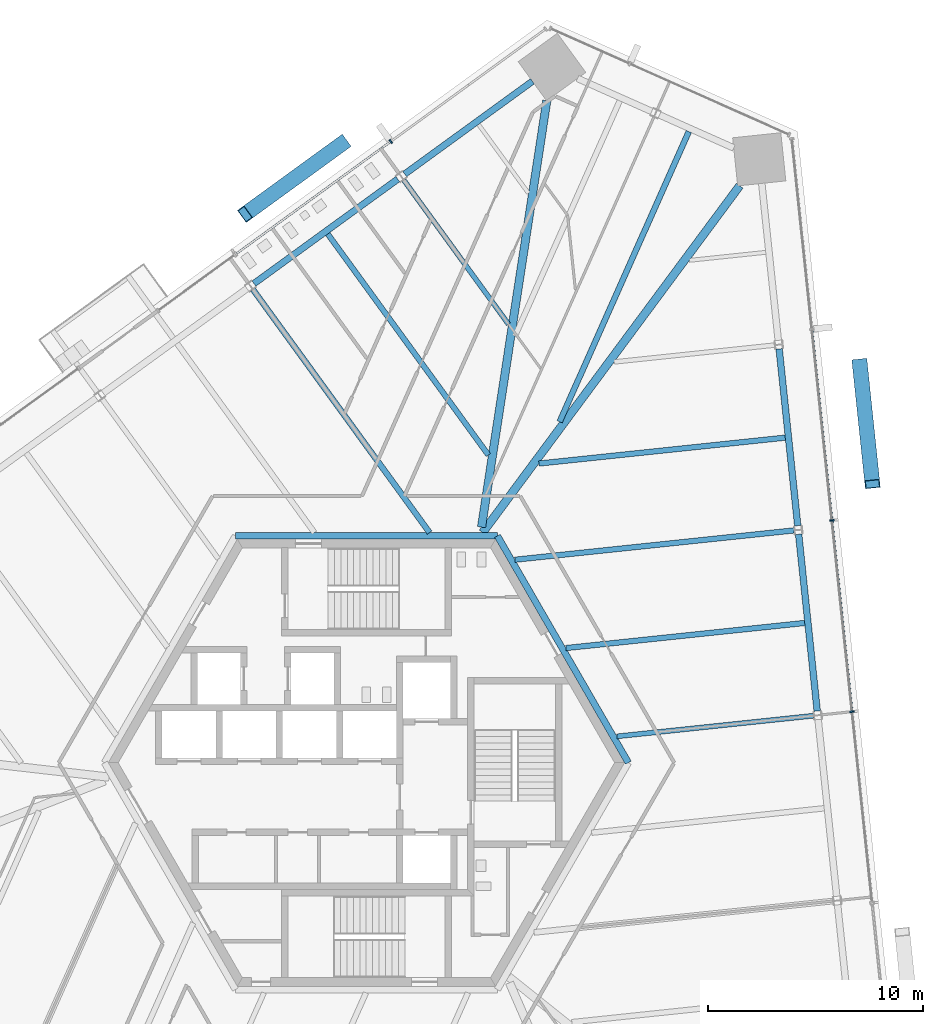
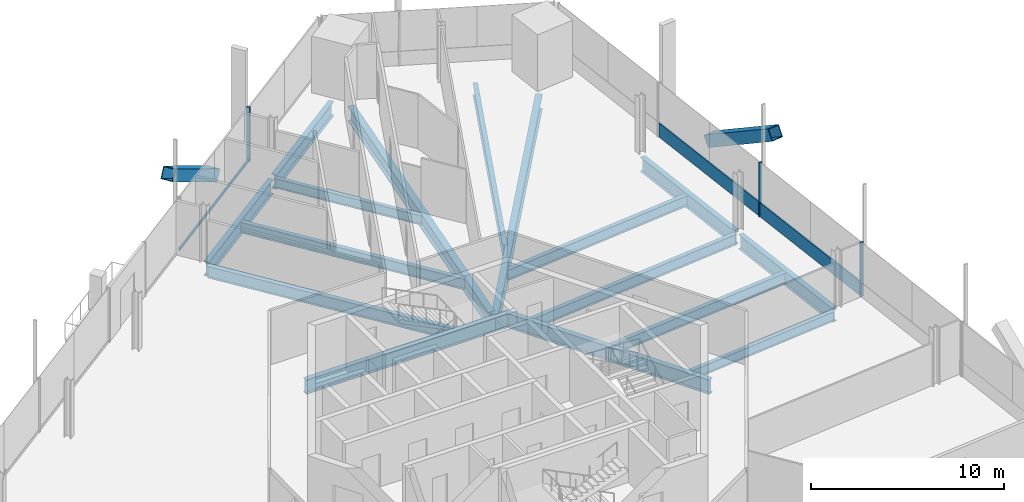
# One storey, part 8 of 21: 16 beams, 8 members, 2 elements without a shape of their own.
"""IFC4 building model written with IfcOpenShell, lengths in metres."""

from ifc_helpers import new_model, si_unit, direction, frame, origin, origin_2d, place, context, subcontext, project, spatial, rectangle, hollow_rectangle, i_section, extrude, source, transform, mapped, material, material_profile, profile_set, type_object, element, aggregate, save


model = new_model("IFC4")

# Units and contexts
model_context = context("Model", 3, precision=1e-05, world=origin(), true_north=direction((0.0, 1.0)))
body_context = subcontext(model_context, "Body", "Model", "MODEL_VIEW")
ifc_project = project(units=[si_unit("LENGTHUNIT", "METRE"), si_unit("AREAUNIT", "SQUARE_METRE"), si_unit("VOLUMEUNIT", "CUBIC_METRE"), si_unit("PLANEANGLEUNIT", "RADIAN"), si_unit("MASSUNIT", "GRAM", prefix="KILO")], contexts=[model_context])

# Site, building, storey
site_placement = place(None, origin())
site = spatial("IfcSite", under=ifc_project, at=site_placement, CompositionType="ELEMENT")
building_placement = place(site_placement, origin())
building = spatial("IfcBuilding", under=site, at=building_placement, Name="Triune Harvest Tower", CompositionType="ELEMENT")
storey_placement = place(building_placement, frame((0.0, 0.0, 65.699951171875)))
storey = spatial("IfcBuildingStorey", under=building, at=storey_placement, Name="L15", CompositionType="ELEMENT", Elevation=65.699951171875)

# Beams
ifc_material_1 = material(Name="Steel ASTM A992 Gr 50", Category="steel")
ifc_material_profile_1 = material_profile(ifc_material_1, i_section(OverallWidth=0.3046875, OverallDepth=0.914306640625, WebThickness=0.0166015625, FlangeThickness=0.02587890625, at=origin_2d()), Name="W36x160")
ifc_profile_set_1 = profile_set([ifc_material_profile_1], Name="Steel ASTM A992 Gr 50")
beam_type_1 = type_object("IfcBeamType", Name="CG-1 Core ring girder W36x160", PredefinedType="BEAM", material=ifc_profile_set_1)
shared_shape_1 = source(origin(), body_context, "Body", "SweptSolid", [
    extrude(i_section(OverallWidth=0.3046875, OverallDepth=0.914306640625, WebThickness=0.0166015625, FlangeThickness=0.02587890625, at=origin_2d()), origin(), (0.0, 0.0, 1.0), 12.176025390625),
])
beam_1_placement = place(storey_placement, frame((12.176025390625, 0.0, -0.6171875), z_axis=(-0.5000099932, 0.866019634131, 0.0), x_axis=(-0.866019634131, -0.5000099932, 0.0)))
element("IfcBeam", 1, at=beam_1_placement, inside=storey, type_object=beam_type_1, Name="beam/L15/CG1", PredefinedType="BEAM", context=body_context, shape_type="MappedRepresentation", body=[
    mapped(shared_shape_1, transform((0.0, 0.0, 0.0), scale=1.0)),
])
shared_shape_2 = source(origin(), body_context, "Body", "SweptSolid", [
    extrude(i_section(OverallWidth=0.3046875, OverallDepth=0.914306640625, WebThickness=0.0166015625, FlangeThickness=0.02587890625, at=origin_2d()), origin(), (0.0, 0.0, 1.0), 12.17578125),
])
beam_2_placement = place(storey_placement, frame((6.087890625, 10.544677734375, -0.6171875), z_axis=(-1.0, 0.0, 0.0), x_axis=(0.0, -1.0, 0.0)))
element("IfcBeam", 2, at=beam_2_placement, inside=storey, type_object=beam_type_1, Name="beam/L15/CG2", PredefinedType="BEAM", context=body_context, shape_type="MappedRepresentation", body=[
    mapped(shared_shape_2, transform((0.0, 0.0, 0.0), scale=1.0)),
])
ifc_material_2 = material(Name="Steel ASTM A992 Gr 50", Category="steel")
ifc_material_profile_2 = material_profile(ifc_material_2, i_section(OverallWidth=0.3046875, OverallDepth=0.914306640625, WebThickness=0.0166015625, FlangeThickness=0.02587890625, at=origin_2d()), Name="W36x160")
ifc_profile_set_2 = profile_set([ifc_material_profile_2], Name="Steel ASTM A992 Gr 50")
beam_type_2 = type_object("IfcBeamType", Name="SB-1 Spandrel beam W36x160", PredefinedType="SPANDREL", material=ifc_profile_set_2)
shared_shape_3 = source(origin(), body_context, "Body", "SweptSolid", [
    extrude(i_section(OverallWidth=0.3046875, OverallDepth=0.914306640625, WebThickness=0.0166015625, FlangeThickness=0.02587890625, at=origin_2d()), origin(), (0.0, 0.0, 1.0), 7.337890625),
])
beam_3_placement = place(storey_placement, frame((7.7158203125, 31.677490234375, -0.6171875), z_axis=(-0.80902661548, -0.58777200975, 0.0), x_axis=(0.58777200975, -0.80902661548, 0.0)))
element("IfcBeam", 3, at=beam_3_placement, inside=storey, type_object=beam_type_2, Name="beam/L15/SB9", PredefinedType="SPANDREL", context=body_context, shape_type="MappedRepresentation", body=[
    mapped(shared_shape_3, transform((0.0, 0.0, 0.0), scale=1.0)),
])
shared_shape_4 = source(origin(), body_context, "Body", "SweptSolid", [
    extrude(i_section(OverallWidth=0.3046875, OverallDepth=0.914306640625, WebThickness=0.0166015625, FlangeThickness=0.02587890625, at=origin_2d()), origin(), (0.0, 0.0, 1.0), 8.263427734375),
])
for number, where, z_axis, x_axis, name in (
    (4, (20.956298828125, 2.403076171875, -0.6171875), (-0.104560208485, 0.994518558299, 0.0), (-0.994518558299, -0.104560208485, 0.0), "beam/L15/SB4"),
    (5, (20.05078125, 11.017822265625, -0.6171875), (-0.104527914852, 0.994521953009, 0.0), (-0.994521953009, -0.104527914852, 0.0), "beam/L15/SB5"),
    (6, (1.45654296875, 27.130126953125, -0.6171875), (-0.809015786763, -0.587786914424, 0.0), (0.587786914424, -0.809015786763, 0.0), "beam/L15/SB10"),
):
    element("IfcBeam", number, at=place(storey_placement, frame(where, z_axis=z_axis, x_axis=x_axis)), inside=storey, type_object=beam_type_2, Name=name, PredefinedType="SPANDREL", context=body_context, shape_type="MappedRepresentation", body=[
        mapped(shared_shape_4, transform((0.0, 0.0, 0.0), scale=1.0)),
    ])
ifc_material_3 = material(Name="Steel ASTM A992 Gr 50", Category="steel")
ifc_material_profile_3 = material_profile(ifc_material_3, i_section(OverallWidth=0.383544921875, OverallDepth=0.9423828125, WebThickness=0.022216796875, FlangeThickness=0.039794921875, at=origin_2d()), Name="W36x232")
ifc_profile_set_3 = profile_set([ifc_material_profile_3], Name="Steel ASTM A992 Gr 50")
beam_type_3 = type_object("IfcBeamType", Name="HG-1 Hip girder W36x232", PredefinedType="BEAM", material=ifc_profile_set_3)
shared_shape_5 = source(origin(), body_context, "Body", "SweptSolid", [
    extrude(i_section(OverallWidth=0.383544921875, OverallDepth=0.9423828125, WebThickness=0.022216796875, FlangeThickness=0.039794921875, at=origin_2d()), origin(), (0.0, 0.0, 1.0), 20.071044921875),
])
beam_4_placement = place(storey_placement, frame((17.3515625, 26.822265625, -0.631103515625), z_axis=(-0.595422435489, -0.803412797581, 0.0), x_axis=(0.803412797581, -0.595422435489, 0.0)))
element("IfcBeam", 7, at=beam_4_placement, inside=storey, type_object=beam_type_3, Name="beam/L15/HG3", PredefinedType="BEAM", context=body_context, shape_type="MappedRepresentation", body=[
    mapped(shared_shape_5, transform((0.0, 0.0, 0.0), scale=1.0)),
])
shared_shape_6 = source(origin(), body_context, "Body", "SweptSolid", [
    extrude(i_section(OverallWidth=0.383544921875, OverallDepth=0.9423828125, WebThickness=0.022216796875, FlangeThickness=0.039794921875, at=origin_2d()), origin(), (0.0, 0.0, 1.0), 20.0546875),
])
beam_5_placement = place(storey_placement, frame((8.38623046875, 30.774169921875, -0.631103515625), z_axis=(-0.151393010927, -0.988473649746, 0.0), x_axis=(0.988473649746, -0.151393010927, 0.0)))
element("IfcBeam", 8, at=beam_5_placement, inside=storey, type_object=beam_type_3, Name="beam/L15/HG4", PredefinedType="BEAM", context=body_context, shape_type="MappedRepresentation", body=[
    mapped(shared_shape_6, transform((0.0, 0.0, 0.0), scale=1.0)),
])
ifc_material_4 = material(Name="Steel ASTM A992 Gr 50", Category="steel")
ifc_material_profile_4 = material_profile(ifc_material_4, i_section(OverallWidth=0.22900390625, OverallDepth=0.612060546875, WebThickness=0.011962890625, FlangeThickness=0.01953125, at=origin_2d()), Name="W24x84")
ifc_profile_set_4 = profile_set([ifc_material_profile_4], Name="Steel ASTM A992 Gr 50")
beam_type_4 = type_object("IfcBeamType", Name="JT-3 Floor joist W24x84", PredefinedType="JOIST", material=ifc_profile_set_4)
shared_shape_7 = source(origin(), body_context, "Body", "SweptSolid", [
    extrude(i_section(OverallWidth=0.22900390625, OverallDepth=0.612060546875, WebThickness=0.011962890625, FlangeThickness=0.01953125, at=origin_2d()), origin(), (0.0, 0.0, 1.0), 8.28173828125),
])
beam_6_placement = place(storey_placement, frame((1.733642578125, 27.087890625, -0.466064453125), z_axis=(0.587794772324, -0.809010077581, 0.0), x_axis=(0.809010077581, 0.587794772324, 0.0)))
element("IfcBeam", 9, at=beam_6_placement, inside=storey, type_object=beam_type_4, Name="beam/L15/JT15", PredefinedType="JOIST", context=body_context, shape_type="MappedRepresentation", body=[
    mapped(shared_shape_7, transform((0.0, 0.0, 0.0), scale=1.0)),
])
shared_shape_8 = source(origin(), body_context, "Body", "SweptSolid", [
    extrude(i_section(OverallWidth=0.22900390625, OverallDepth=0.612060546875, WebThickness=0.011962890625, FlangeThickness=0.01953125, at=origin_2d()), origin(), (0.0, 0.0, 1.0), 9.186279296875),
])
beam_7_placement = place(storey_placement, frame((20.78125, 2.18408203125, -0.466064453125), z_axis=(-0.99452494946, -0.10449940144, 0.0), x_axis=(0.10449940144, -0.99452494946, 0.0)))
element("IfcBeam", 10, at=beam_7_placement, inside=storey, type_object=beam_type_4, Name="beam/L15/JT6", PredefinedType="JOIST", context=body_context, shape_type="MappedRepresentation", body=[
    mapped(shared_shape_8, transform((0.0, 0.0, 0.0), scale=1.0)),
])
ifc_material_5 = material(Name="Steel ASTM A992 Gr 50", Category="steel")
ifc_material_profile_5 = material_profile(ifc_material_5, i_section(OverallWidth=0.253662109375, OverallDepth=0.683349609375, WebThickness=0.012451171875, FlangeThickness=0.01904296875, at=origin_2d()), Name="W27x94")
ifc_profile_set_5 = profile_set([ifc_material_profile_5], Name="Steel ASTM A992 Gr 50")
beam_type_5 = type_object("IfcBeamType", Name="JT-4 Floor joist W27x94", PredefinedType="JOIST", material=ifc_profile_set_5)
shared_shape_9 = source(origin(), body_context, "Body", "SweptSolid", [
    extrude(i_section(OverallWidth=0.253662109375, OverallDepth=0.683349609375, WebThickness=0.012451171875, FlangeThickness=0.01904296875, at=origin_2d()), origin(), (0.0, 0.0, 1.0), 11.158935546875),
])
beam_8_placement = place(storey_placement, frame((20.372802734375, 6.49609375, -0.50146484375), z_axis=(-0.994523540129, -0.104512813234, 0.0), x_axis=(0.104512813234, -0.994523540129, 0.0)))
element("IfcBeam", 11, at=beam_8_placement, inside=storey, type_object=beam_type_5, Name="beam/L15/JT7", PredefinedType="JOIST", context=body_context, shape_type="MappedRepresentation", body=[
    mapped(shared_shape_9, transform((0.0, 0.0, 0.0), scale=1.0)),
])
shared_shape_10 = source(origin(), body_context, "Body", "SweptSolid", [
    extrude(i_section(OverallWidth=0.253662109375, OverallDepth=0.683349609375, WebThickness=0.012451171875, FlangeThickness=0.01904296875, at=origin_2d()), origin(), (0.0, 0.0, 1.0), 13.04296875),
])
beam_9_placement = place(storey_placement, frame((19.875732421875, 10.799072265625, -0.50146484375), z_axis=(-0.99452051979, -0.104541550188, 0.0), x_axis=(0.104541550188, -0.99452051979, 0.0)))
element("IfcBeam", 12, at=beam_9_placement, inside=storey, type_object=beam_type_5, Name="beam/L15/JT8", PredefinedType="JOIST", context=body_context, shape_type="MappedRepresentation", body=[
    mapped(shared_shape_10, transform((0.0, 0.0, 0.0), scale=1.0)),
])
shared_shape_11 = source(origin(), body_context, "Body", "SweptSolid", [
    extrude(i_section(OverallWidth=0.253662109375, OverallDepth=0.683349609375, WebThickness=0.012451171875, FlangeThickness=0.01904296875, at=origin_2d()), origin(), (0.0, 0.0, 1.0), 11.51123046875),
])
beam_10_placement = place(storey_placement, frame((19.46728515625, 15.111083984375, -0.50146484375), z_axis=(-0.994520898324, -0.104537949071, 0.0), x_axis=(0.104537949071, -0.994520898324, 0.0)))
element("IfcBeam", 13, at=beam_10_placement, inside=storey, type_object=beam_type_5, Name="beam/L15/JT9", PredefinedType="JOIST", context=body_context, shape_type="MappedRepresentation", body=[
    mapped(shared_shape_11, transform((0.0, 0.0, 0.0), scale=1.0)),
])
ifc_material_6 = material(Name="Steel ASTM A992 Gr 50", Category="steel")
ifc_material_profile_6 = material_profile(ifc_material_6, i_section(OverallWidth=0.2666015625, OverallDepth=0.7568359375, WebThickness=0.013916015625, FlangeThickness=0.019287109375, at=origin_2d()), Name="W30x108")
ifc_profile_set_6 = profile_set([ifc_material_profile_6], Name="Steel ASTM A992 Gr 50")
beam_type_6 = type_object("IfcBeamType", Name="JT-5 Floor joist W30x108", PredefinedType="JOIST", material=ifc_profile_set_6)
shared_shape_12 = source(origin(), body_context, "Body", "SweptSolid", [
    extrude(i_section(OverallWidth=0.2666015625, OverallDepth=0.7568359375, WebThickness=0.013916015625, FlangeThickness=0.019287109375, at=origin_2d()), origin(), (0.0, 0.0, 1.0), 14.766357421875),
])
beam_11_placement = place(storey_placement, frame((14.987060546875, 29.33984375, -0.538330078125), z_axis=(-0.406727456384, -0.913549547766, 0.0), x_axis=(0.913549547766, -0.406727456384, 0.0)))
element("IfcBeam", 14, at=beam_11_placement, inside=storey, type_object=beam_type_6, Name="beam/L15/JT12", PredefinedType="JOIST", context=body_context, shape_type="MappedRepresentation", body=[
    mapped(shared_shape_12, transform((0.0, 0.0, 0.0), scale=1.0)),
])
shared_shape_13 = source(origin(), body_context, "Body", "SweptSolid", [
    extrude(i_section(OverallWidth=0.253662109375, OverallDepth=0.683349609375, WebThickness=0.012451171875, FlangeThickness=0.01904296875, at=origin_2d()), origin(), (0.0, 0.0, 1.0), 12.701904296875),
])
beam_12_placement = place(storey_placement, frame((-1.79638671875, 24.578369140625, -0.50146484375), z_axis=(0.587773910587, -0.809025234485, 0.0), x_axis=(0.809025234485, 0.587773910587, 0.0)))
element("IfcBeam", 15, at=beam_12_placement, inside=storey, type_object=beam_type_5, Name="beam/L15/JT16", PredefinedType="JOIST", context=body_context, shape_type="MappedRepresentation", body=[
    mapped(shared_shape_13, transform((0.0, 0.0, 0.0), scale=1.0)),
])
shared_shape_14 = source(origin(), body_context, "Body", "SweptSolid", [
    extrude(i_section(OverallWidth=0.2666015625, OverallDepth=0.7568359375, WebThickness=0.013916015625, FlangeThickness=0.019287109375, at=origin_2d()), origin(), (0.0, 0.0, 1.0), 13.967041015625),
])
beam_13_placement = place(storey_placement, frame((-5.2744140625, 21.99658203125, -0.538330078125), z_axis=(0.587790196646, -0.809013402069, 0.0), x_axis=(0.809013402069, 0.587790196646, 0.0)))
element("IfcBeam", 16, at=beam_13_placement, inside=storey, type_object=beam_type_6, Name="beam/L15/JT17", PredefinedType="JOIST", context=body_context, shape_type="MappedRepresentation", body=[
    mapped(shared_shape_14, transform((0.0, 0.0, 0.0), scale=1.0)),
])

# Members
ifc_material_7 = material(Name="Steel ASTM A572 Gr 50", Category="steel")
ifc_material_profile_7 = material_profile(ifc_material_7, hollow_rectangle(XDim=0.699951171875, YDim=0.699951171875, WallThickness=0.0400390625, at=origin_2d()), Name="Box 700x700x40")
ifc_profile_set_7 = profile_set([ifc_material_profile_7], Name="Steel ASTM A572 Gr 50")
member_type_1 = type_object("IfcMemberType", Name="BR-1 Brace Box 700x700x40", PredefinedType="BRACE", material=ifc_profile_set_7)
shared_shape_15 = source(origin(), body_context, "Body", "SweptSolid", [
    extrude(hollow_rectangle(XDim=0.699951171875, YDim=0.699951171875, WallThickness=0.0400390625, at=origin_2d()), origin(), (0.0, 0.0, 1.0), 6.7021484375),
])
member_1_placement = place(storey_placement, frame((-1.069091796875, 28.824462890625, 0.0), z_axis=(-0.682383466638, -0.495805336274, 0.537149767739), x_axis=(0.587804439459, -0.809003053735, 0.0)))
element("IfcMember", 17, at=member_1_placement, inside=storey, type_object=member_type_1, Name="brace/B2-F3/d1/3", PredefinedType="BRACE", context=body_context, shape_type="MappedRepresentation", body=[
    mapped(shared_shape_15, transform((0.0, 0.0, 0.0), scale=1.0)),
])
shared_shape_16 = source(origin(), body_context, "Body", "SweptSolid", [
    extrude(hollow_rectangle(XDim=0.699951171875, YDim=0.699951171875, WallThickness=0.0400390625, at=origin_2d()), origin(), (0.0, 0.0, 1.0), 6.702392578125),
])
member_2_placement = place(storey_placement, frame((22.931640625, 18.576416015625, 0.0), z_axis=(0.088188640305, -0.83886666567, 0.537145679447), x_axis=(0.994519405424, 0.10455215079, 0.0)))
element("IfcMember", 18, at=member_2_placement, inside=storey, type_object=member_type_1, Name="brace/B2-F1/d2/3", PredefinedType="BRACE", context=body_context, shape_type="MappedRepresentation", body=[
    mapped(shared_shape_16, transform((0.0, 0.0, 0.0), scale=1.0)),
])

# Curtain wall, members
ifc_material_8 = material(Name="Aluminium bronze anodised", Category="aluminium")
curtain_wall_type_1 = type_object("IfcCurtainWallType", Name="CW-1 Tower stick curtain wall", PredefinedType="NOTDEFINED", material=ifc_material_8)
curtain_wall_1_placement = place(storey_placement, origin())
curtain_wall_1 = element("IfcCurtainWall", 19, at=curtain_wall_1_placement, inside=storey, type_object=curtain_wall_type_1, Name="CW-1 B2-F1 L15 run 1001")
ifc_material_9 = material(Name="Aluminium bronze anodised", Category="aluminium")
ifc_material_profile_8 = material_profile(ifc_material_9, rectangle(XDim=0.199951171875, YDim=0.074951171875, at=origin_2d()), Name="MU-1 mullion 75 x 200")
ifc_profile_set_8 = profile_set([ifc_material_profile_8], Name="Aluminium bronze anodised")
member_type_2 = type_object("IfcMemberType", Name="MU-1 mullion 75 x 200", PredefinedType="MULLION", material=ifc_profile_set_8)
shared_shape_17 = source(origin(), body_context, "Body", "SweptSolid", [
    extrude(rectangle(XDim=0.199951171875, YDim=0.074951171875, at=origin_2d()), origin(), (0.0, 0.0, 1.0), 3.43994140625),
])
member_3_placement = place(storey_placement, frame((22.573486328125, 2.37255859375, 0.0), z_axis=(0.0, 0.0, 1.0), x_axis=(-0.994521976051, -0.104527695624, 0.0)))
member_3 = element("IfcMember", 20, at=member_3_placement, type_object=member_type_2, Name="CW-1 mullion B2-F1 1001.3", PredefinedType="MULLION", context=body_context, shape_type="MappedRepresentation", body=[
    mapped(shared_shape_17, transform((0.0, 0.0, 0.0), scale=1.0)),
])
member_4_placement = place(storey_placement, frame((21.638916015625, 11.2646484375, 0.0), z_axis=(0.0, 0.0, 1.0), x_axis=(-0.994521976051, -0.104527695624, 0.0)))
member_4 = element("IfcMember", 21, at=member_4_placement, type_object=member_type_2, Name="CW-1 mullion B2-F1 1001.5", PredefinedType="MULLION", context=body_context, shape_type="MappedRepresentation", body=[
    mapped(shared_shape_17, transform((0.0, 0.0, 0.0), scale=1.0)),
])

# Curtain wall, member
ifc_material_10 = material(Name="Aluminium bronze anodised", Category="aluminium")
curtain_wall_type_2 = type_object("IfcCurtainWallType", Name="CW-10 Balcony window wall with insulated spandrel infill", PredefinedType="NOTDEFINED", material=ifc_material_10)
curtain_wall_2_placement = place(storey_placement, origin())
curtain_wall_2 = element("IfcCurtainWall", 22, at=curtain_wall_2_placement, inside=storey, type_object=curtain_wall_type_2, Name="CW-10 B2-F3 L15 run 1")
ifc_material_11 = material(Name="Aluminium bronze anodised", Category="aluminium")
ifc_material_profile_9 = material_profile(ifc_material_11, rectangle(XDim=0.199951171875, YDim=0.074951171875, at=origin_2d()), Name="MU-6 mullion 75 x 200")
ifc_profile_set_9 = profile_set([ifc_material_profile_9], Name="Aluminium bronze anodised")
member_type_3 = type_object("IfcMemberType", Name="MU-6 mullion 75 x 200", PredefinedType="MULLION", material=ifc_profile_set_9)
shared_shape_18 = source(origin(), body_context, "Body", "SweptSolid", [
    extrude(rectangle(XDim=0.199951171875, YDim=0.074951171875, at=origin_2d()), origin(), (0.0, 0.0, 1.0), 3.43994140625),
])
member_5_placement = place(storey_placement, frame((1.130615234375, 28.87744140625, 0.0), z_axis=(0.0, 0.0, 1.0), x_axis=(0.587784950618, -0.809017213554, 0.0)))
member_5 = element("IfcMember", 23, at=member_5_placement, type_object=member_type_3, Name="CW-10 mullion B2-F3 1.3", PredefinedType="MULLION", context=body_context, shape_type="MappedRepresentation", body=[
    mapped(shared_shape_18, transform((0.0, 0.0, 0.0), scale=1.0)),
])

# Member
ifc_material_12 = material(Name="Aluminium bronze anodised", Category="aluminium")
ifc_material_profile_10 = material_profile(ifc_material_12, rectangle(XDim=0.090087890625, YDim=0.89990234375, at=origin_2d()), Name="TR-1 transom 90 x 900")
ifc_profile_set_10 = profile_set([ifc_material_profile_10], Name="Aluminium bronze anodised")
member_type_4 = type_object("IfcMemberType", Name="TR-1 transom 90 x 900", PredefinedType="USERDEFINED", material=ifc_profile_set_10)
shared_shape_19 = source(origin(), body_context, "Body", "SweptSolid", [
    extrude(rectangle(XDim=0.090087890625, YDim=0.89990234375, at=origin_2d()), origin(), (0.0, 0.0, 1.0), 8.8662109375),
])
member_6_placement = place(storey_placement, frame((22.569580078125, 2.409912109375, 0.449951171875), z_axis=(-0.104527110626, 0.994522037536, 0.0), x_axis=(-0.994522037536, -0.104527110626, 0.0)))
member_6 = element("IfcMember", 24, at=member_6_placement, type_object=member_type_4, Name="CW-1 transom B2-F1 1001.2", ObjectType="TRANSOM", PredefinedType="USERDEFINED", context=body_context, shape_type="MappedRepresentation", body=[
    mapped(shared_shape_19, transform((0.0, 0.0, 0.0), scale=1.0)),
])

member_7_placement = place(storey_placement, frame((21.634765625, 11.302001953125, 0.449951171875), z_axis=(-0.104527110626, 0.994522037536, 0.0), x_axis=(-0.994522037536, -0.104527110626, 0.0)))
member_7 = element("IfcMember", 25, at=member_7_placement, type_object=member_type_4, Name="CW-1 transom B2-F1 1001.3", ObjectType="TRANSOM", PredefinedType="USERDEFINED", context=body_context, shape_type="MappedRepresentation", body=[
    mapped(shared_shape_19, transform((0.0, 0.0, 0.0), scale=1.0)),
])

aggregate(curtain_wall_1, [member_3, member_4, member_6, member_7])

ifc_material_13 = material(Name="Aluminium bronze anodised", Category="aluminium")
ifc_material_profile_11 = material_profile(ifc_material_13, rectangle(XDim=0.090087890625, YDim=0.14990234375, at=origin_2d()), Name="TR-6 transom 90 x 150")
ifc_profile_set_11 = profile_set([ifc_material_profile_11], Name="Aluminium bronze anodised")
member_type_5 = type_object("IfcMemberType", Name="TR-6 transom 90 x 150", PredefinedType="USERDEFINED", material=ifc_profile_set_11)
shared_shape_20 = source(origin(), body_context, "Body", "SweptSolid", [
    extrude(rectangle(XDim=0.090087890625, YDim=0.14990234375, at=origin_2d()), origin(), (0.0, 0.0, 1.0), 8.82275390625),
])
member_8_placement = place(storey_placement, frame((1.10009765625, 28.855224609375, 0.074951171875), z_axis=(-0.809019591247, -0.587781677988, 0.0), x_axis=(0.587781677988, -0.809019591247, 0.0)))
member_8 = element("IfcMember", 26, at=member_8_placement, type_object=member_type_5, Name="CW-10 transom B2-F3 1.2", ObjectType="TRANSOM", PredefinedType="USERDEFINED", context=body_context, shape_type="MappedRepresentation", body=[
    mapped(shared_shape_20, transform((0.0, 0.0, 0.0), scale=1.0)),
])

aggregate(curtain_wall_2, [member_5, member_8])

save(model, "model.ifc")
